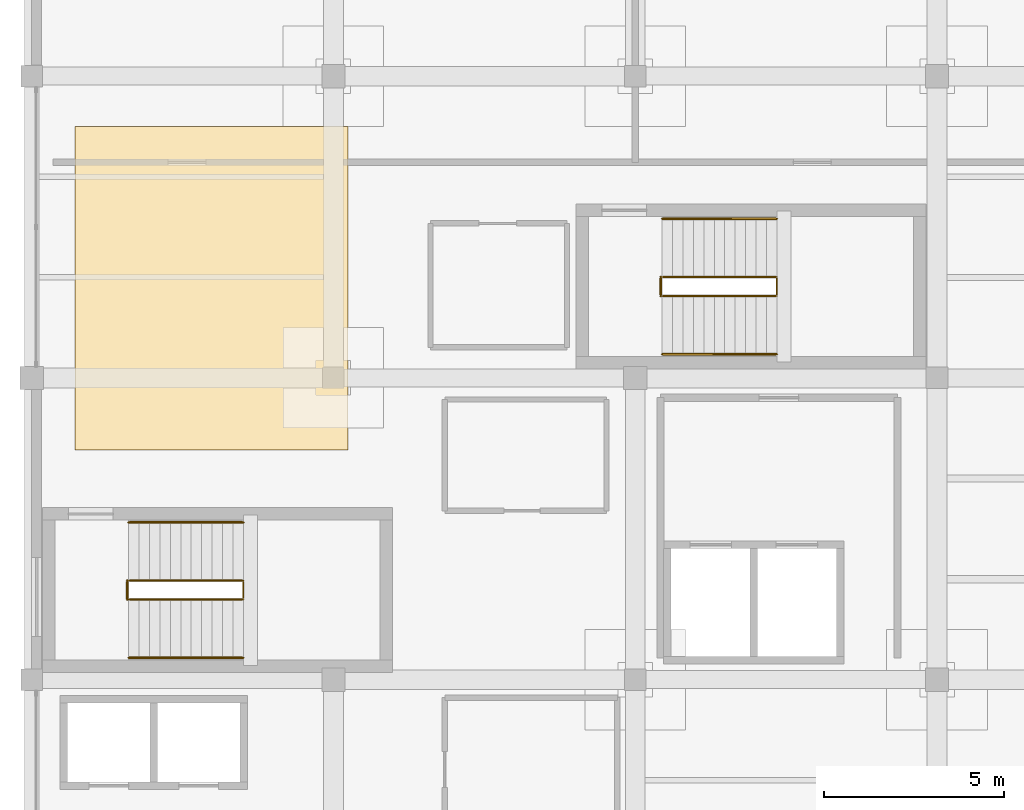
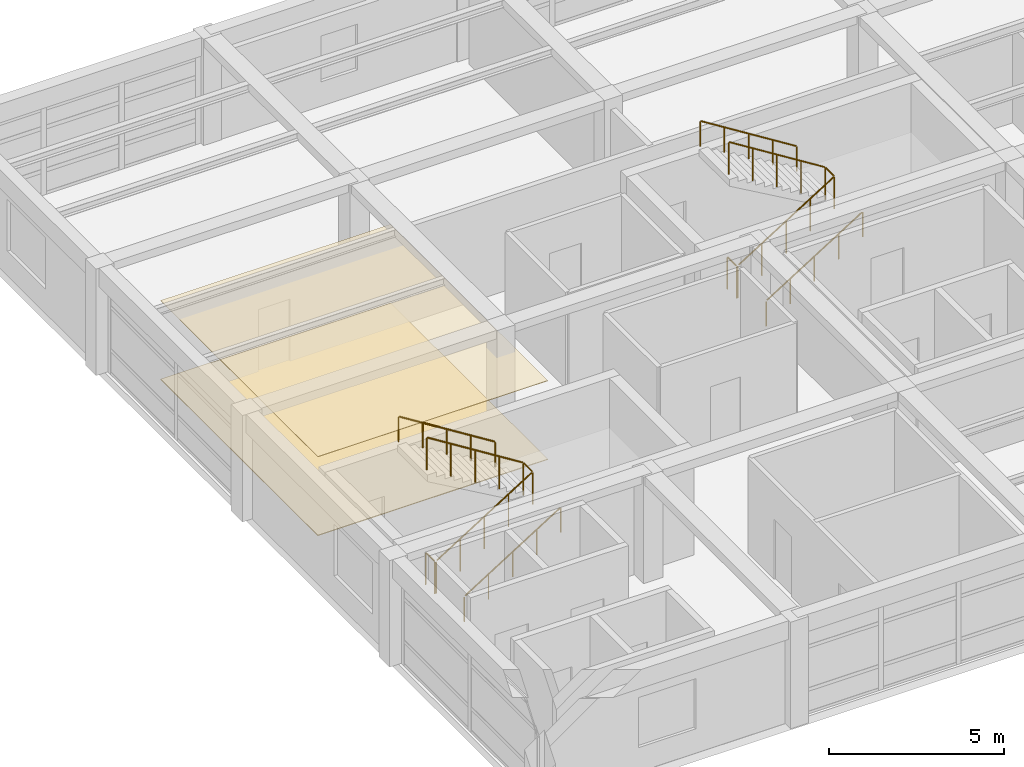
# One storey, part 26 of 26: 8 railings, 2 coverings.
"""IFC4 building model written with IfcOpenShell, lengths in metres."""

from ifc_helpers import new_model, si_unit, direction, frame, origin, origin_2d, place, context, subcontext, project, spatial, polyline, circle, outline, extrude, material, layer, layer_set, type_object, element, save


model = new_model("IFC4")

# Units and contexts
model_context = context("Model", 3, precision=1e-05, world=origin(), true_north=direction((0.0, 1.0)))
body_context = subcontext(model_context, "Body", "Model", "MODEL_VIEW")
ifc_project = project(units=[si_unit("LENGTHUNIT", "METRE"), si_unit("AREAUNIT", "SQUARE_METRE"), si_unit("VOLUMEUNIT", "CUBIC_METRE"), si_unit("PLANEANGLEUNIT", "RADIAN"), si_unit("MASSUNIT", "GRAM", prefix="KILO")], contexts=[model_context])

# Site, building, storey
site_placement = place(None, origin())
site = spatial("IfcSite", under=ifc_project, at=site_placement, CompositionType="ELEMENT")
building_placement = place(site_placement, origin())
building = spatial("IfcBuilding", under=site, at=building_placement, Name="Almacenes y Pasaje Nevantli", CompositionType="ELEMENT")
storey_placement = place(building_placement, frame((0.0, 0.0, 54.699951171875)))
storey = spatial("IfcBuildingStorey", under=building, at=storey_placement, Name="L13", CompositionType="ELEMENT", Elevation=54.699951171875)

# Coverings
ifc_material_1 = material(Name="Perforated Acoustic Mineral Fiber Ceiling", Category="gypsum")
ifc_layer_1 = layer(ifc_material_1, 0.02001953125)
ifc_layer_set_1 = layer_set([ifc_layer_1], Name="Perforated Acoustic Mineral Fiber Ceiling")
covering_type_1 = type_object("IfcCoveringType", Name="COV-CEIL-ACU", PredefinedType="CEILING", material=ifc_layer_set_1)
covering_1_placement = place(storey_placement, frame((0.0, 0.0, 2.75)))
element("IfcCovering", 1, at=covering_1_placement, inside=storey, type_object=covering_type_1, Name="L13 Suspended Acoustic Ceiling Panel", PredefinedType="CEILING", context=body_context, shape_type="SweptSolid", body=[
    extrude(outline(polyline([(118.800048828125, 82.0), (126.39990234375, 82.0), (126.39990234375, 91.0), (118.800048828125, 91.0), (118.800048828125, 82.0)])), origin(), (0.0, 0.0, 1.0), 0.02001953125),
])
ifc_material_2 = material(Name="Polished Toluca Stone Terrazzo Flooring", Category="masonry")
ifc_layer_2 = layer(ifc_material_2, 0.02490234375)
ifc_layer_set_2 = layer_set([ifc_layer_2], Name="Polished Toluca Stone Terrazzo Flooring")
covering_type_2 = type_object("IfcCoveringType", Name="COV-FLR-TERRAZZO", PredefinedType="FLOORING", material=ifc_layer_set_2)
covering_2_placement = place(storey_placement, origin())
element("IfcCovering", 2, at=covering_2_placement, inside=storey, type_object=covering_type_2, Name="L13 Polished Stone Terrazzo Floor Finish", PredefinedType="FLOORING", context=body_context, shape_type="SweptSolid", body=[
    extrude(outline(polyline([(118.800048828125, 82.0), (126.39990234375, 82.0), (126.39990234375, 91.0), (118.800048828125, 91.0), (118.800048828125, 82.0)])), origin(), (0.0, 0.0, 1.0), 0.025146484375),
])

# Railings
ifc_material_3 = material(Name="Brushed Stainless Steel and Tempered Safety Glass", Category="steel")
railing_type_1 = type_object("IfcRailingType", Name="RL-GUARD-1100", PredefinedType="BALUSTRADE", material=ifc_material_3)
railing_1_placement = place(storey_placement, frame((120.300048828125, 77.830078125, 0.0)))
element("IfcRailing", 3, at=railing_1_placement, inside=storey, type_object=railing_type_1, Name="L13 Stair ST-01 Inner Well Guard Balustrade", PredefinedType="BALUSTRADE", context=body_context, shape_type="SweptSolid", body=[
    extrude(circle(Radius=0.02392578125, at=origin_2d()), frame((0.025390625, 0.0, 1.141845703125), z_axis=(0.847247016309, 0.0, 0.531199108955), x_axis=(0.0, 1.0, 0.0)), (0.0, 0.0, 1.0), 3.705078125),
    extrude(circle(Radius=0.02392578125, at=origin_2d()), frame((3.18994140625, 0.030029296875, 3.1259765625), z_axis=(0.0, 1.0, 0.0), x_axis=(-1.0, 0.0, 0.0)), (0.0, 0.0, 1.0), 0.469970703125),
    extrude(circle(Radius=0.02392578125, at=origin_2d()), frame((3.16455078125, 0.530029296875, 3.141845703125), z_axis=(-0.847247016309, 0.0, 0.531199108955), x_axis=(0.0, -1.0, 0.0)), (0.0, 0.0, 1.0), 3.705078125),
    extrude(circle(Radius=0.02099609375, at=origin_2d()), origin(), (0.0, 0.0, 1.0), 1.096923828125),
    extrude(circle(Radius=0.02099609375, at=origin_2d()), frame((0.79736328125, 0.0, 0.5)), (0.0, 0.0, 1.0), 1.096923828125),
    extrude(circle(Radius=0.02099609375, at=origin_2d()), frame((1.594970703125, 0.0, 1.0)), (0.0, 0.0, 1.0), 1.096923828125),
    extrude(circle(Radius=0.02099609375, at=origin_2d()), frame((2.392578125, 0.0, 1.5)), (0.0, 0.0, 1.0), 1.096923828125),
    extrude(circle(Radius=0.02099609375, at=origin_2d()), frame((3.18994140625, 0.0, 2.0)), (0.0, 0.0, 1.0), 1.096923828125),
    extrude(circle(Radius=0.02099609375, at=origin_2d()), frame((3.18994140625, 0.530029296875, 2.0)), (0.0, 0.0, 1.0), 1.096923828125),
    extrude(circle(Radius=0.02099609375, at=origin_2d()), frame((2.392578125, 0.530029296875, 2.5)), (0.0, 0.0, 1.0), 1.096923828125),
    extrude(circle(Radius=0.02099609375, at=origin_2d()), frame((1.594970703125, 0.530029296875, 3.0)), (0.0, 0.0, 1.0), 1.096923828125),
    extrude(circle(Radius=0.02099609375, at=origin_2d()), frame((0.79736328125, 0.530029296875, 3.5)), (0.0, 0.0, 1.0), 1.096923828125),
    extrude(circle(Radius=0.02099609375, at=origin_2d()), frame((0.0, 0.530029296875, 4.0)), (0.0, 0.0, 1.0), 1.096923828125),
])
railing_2_placement = place(storey_placement, frame((120.260009765625, 77.830078125, 0.0)))
element("IfcRailing", 4, at=railing_2_placement, inside=storey, type_object=railing_type_1, Name="L13 Stair ST-01 Landing Well Slot Guard", PredefinedType="BALUSTRADE", context=body_context, shape_type="SweptSolid", body=[
    extrude(circle(Radius=0.02392578125, at=origin_2d()), frame((0.0, 0.030029296875, 1.1259765625), z_axis=(0.0, 1.0, 0.0), x_axis=(-1.0, 0.0, 0.0)), (0.0, 0.0, 1.0), 0.469970703125),
    extrude(circle(Radius=0.02099609375, at=origin_2d()), origin(), (0.0, 0.0, 1.0), 1.096923828125),
    extrude(circle(Radius=0.02099609375, at=origin_2d()), frame((0.0, 0.530029296875, 0.0)), (0.0, 0.0, 1.0), 1.096923828125),
])
railing_3_placement = place(storey_placement, frame((135.14990234375, 86.280029296875, 0.0)))
element("IfcRailing", 5, at=railing_3_placement, inside=storey, type_object=railing_type_1, Name="L13 Stair ST-02 Inner Well Guard Balustrade", PredefinedType="BALUSTRADE", context=body_context, shape_type="SweptSolid", body=[
    extrude(circle(Radius=0.02392578125, at=origin_2d()), frame((0.025390625, 0.0, 1.141845703125), z_axis=(0.847265311894, 0.0, 0.531169926918), x_axis=(0.0, 1.0, 0.0)), (0.0, 0.0, 1.0), 3.705322265625),
    extrude(circle(Radius=0.02392578125, at=origin_2d()), frame((3.190185546875, 0.030029296875, 3.1259765625), z_axis=(0.0, 1.0, 0.0), x_axis=(-1.0, 0.0, 0.0)), (0.0, 0.0, 1.0), 0.469970703125),
    extrude(circle(Radius=0.02392578125, at=origin_2d()), frame((3.164794921875, 0.530029296875, 3.141845703125), z_axis=(-0.847265311894, 0.0, 0.531169926918), x_axis=(0.0, -1.0, 0.0)), (0.0, 0.0, 1.0), 3.705322265625),
    extrude(circle(Radius=0.02099609375, at=origin_2d()), origin(), (0.0, 0.0, 1.0), 1.096923828125),
    extrude(circle(Radius=0.02099609375, at=origin_2d()), frame((0.797607421875, 0.0, 0.5)), (0.0, 0.0, 1.0), 1.096923828125),
    extrude(circle(Radius=0.02099609375, at=origin_2d()), frame((1.59521484375, 0.0, 1.0)), (0.0, 0.0, 1.0), 1.096923828125),
    extrude(circle(Radius=0.02099609375, at=origin_2d()), frame((2.392578125, 0.0, 1.5)), (0.0, 0.0, 1.0), 1.096923828125),
    extrude(circle(Radius=0.02099609375, at=origin_2d()), frame((3.190185546875, 0.0, 2.0)), (0.0, 0.0, 1.0), 1.096923828125),
    extrude(circle(Radius=0.02099609375, at=origin_2d()), frame((3.190185546875, 0.530029296875, 2.0)), (0.0, 0.0, 1.0), 1.096923828125),
    extrude(circle(Radius=0.02099609375, at=origin_2d()), frame((2.392578125, 0.530029296875, 2.5)), (0.0, 0.0, 1.0), 1.096923828125),
    extrude(circle(Radius=0.02099609375, at=origin_2d()), frame((1.59521484375, 0.530029296875, 3.0)), (0.0, 0.0, 1.0), 1.096923828125),
    extrude(circle(Radius=0.02099609375, at=origin_2d()), frame((0.797607421875, 0.530029296875, 3.5)), (0.0, 0.0, 1.0), 1.096923828125),
    extrude(circle(Radius=0.02099609375, at=origin_2d()), frame((0.0, 0.530029296875, 4.0)), (0.0, 0.0, 1.0), 1.096923828125),
])
railing_4_placement = place(storey_placement, frame((135.110107421875, 86.280029296875, 0.0)))
element("IfcRailing", 6, at=railing_4_placement, inside=storey, type_object=railing_type_1, Name="L13 Stair ST-02 Landing Well Slot Guard", PredefinedType="BALUSTRADE", context=body_context, shape_type="SweptSolid", body=[
    extrude(circle(Radius=0.02392578125, at=origin_2d()), frame((0.0, 0.030029296875, 1.1259765625), z_axis=(0.0, 1.0, 0.0), x_axis=(-1.0, 0.0, 0.0)), (0.0, 0.0, 1.0), 0.469970703125),
    extrude(circle(Radius=0.02099609375, at=origin_2d()), origin(), (0.0, 0.0, 1.0), 1.096923828125),
    extrude(circle(Radius=0.02099609375, at=origin_2d()), frame((0.0, 0.530029296875, 0.0)), (0.0, 0.0, 1.0), 1.096923828125),
])
ifc_material_4 = material(Name="Brushed Stainless Steel Tube", Category="steel")
railing_type_2 = type_object("IfcRailingType", Name="RL-HANDRAIL-900", PredefinedType="HANDRAIL", material=ifc_material_4)
railing_5_placement = place(storey_placement, frame((120.300048828125, 76.2099609375, 0.0)))
element("IfcRailing", 7, at=railing_5_placement, inside=storey, type_object=railing_type_2, Name="L13 Stair ST-01 Lower Flight Handrail", PredefinedType="HANDRAIL", context=body_context, shape_type="SweptSolid", body=[
    extrude(circle(Radius=0.02392578125, at=origin_2d()), frame((0.025390625, 0.0, 0.891845703125), z_axis=(0.847247016309, 0.0, 0.531199108955), x_axis=(0.0, 1.0, 0.0)), (0.0, 0.0, 1.0), 3.705078125),
    extrude(circle(Radius=0.02099609375, at=origin_2d()), origin(), (0.0, 0.0, 1.0), 0.846923828125),
    extrude(circle(Radius=0.02099609375, at=origin_2d()), frame((0.79736328125, 0.0, 0.5)), (0.0, 0.0, 1.0), 0.846923828125),
    extrude(circle(Radius=0.02099609375, at=origin_2d()), frame((1.594970703125, 0.0, 1.0)), (0.0, 0.0, 1.0), 0.846923828125),
    extrude(circle(Radius=0.02099609375, at=origin_2d()), frame((2.392578125, 0.0, 1.5)), (0.0, 0.0, 1.0), 0.846923828125),
    extrude(circle(Radius=0.02099609375, at=origin_2d()), frame((3.18994140625, 0.0, 2.0)), (0.0, 0.0, 1.0), 0.846923828125),
])
railing_6_placement = place(storey_placement, frame((123.489990234375, 79.97998046875, 2.0)))
element("IfcRailing", 8, at=railing_6_placement, inside=storey, type_object=railing_type_2, Name="L13 Stair ST-01 Upper Flight Handrail", PredefinedType="HANDRAIL", context=body_context, shape_type="SweptSolid", body=[
    extrude(circle(Radius=0.02392578125, at=origin_2d()), frame((-0.025390625, 0.0, 0.891845703125), z_axis=(-0.847247016309, 0.0, 0.531199108955), x_axis=(0.0, -1.0, 0.0)), (0.0, 0.0, 1.0), 3.705078125),
    extrude(circle(Radius=0.02099609375, at=origin_2d()), origin(), (0.0, 0.0, 1.0), 0.846923828125),
    extrude(circle(Radius=0.02099609375, at=origin_2d()), frame((-0.79736328125, 0.0, 0.5)), (0.0, 0.0, 1.0), 0.846923828125),
    extrude(circle(Radius=0.02099609375, at=origin_2d()), frame((-1.594970703125, 0.0, 1.0)), (0.0, 0.0, 1.0), 0.846923828125),
    extrude(circle(Radius=0.02099609375, at=origin_2d()), frame((-2.392578125, 0.0, 1.5)), (0.0, 0.0, 1.0), 0.846923828125),
    extrude(circle(Radius=0.02099609375, at=origin_2d()), frame((-3.18994140625, 0.0, 2.0)), (0.0, 0.0, 1.0), 0.846923828125),
])
railing_7_placement = place(storey_placement, frame((135.14990234375, 84.659912109375, 0.0)))
element("IfcRailing", 9, at=railing_7_placement, inside=storey, type_object=railing_type_2, Name="L13 Stair ST-02 Lower Flight Handrail", PredefinedType="HANDRAIL", context=body_context, shape_type="SweptSolid", body=[
    extrude(circle(Radius=0.02392578125, at=origin_2d()), frame((0.025390625, 0.0, 0.891845703125), z_axis=(0.847265311894, 0.0, 0.531169926918), x_axis=(0.0, 1.0, 0.0)), (0.0, 0.0, 1.0), 3.705322265625),
    extrude(circle(Radius=0.02099609375, at=origin_2d()), origin(), (0.0, 0.0, 1.0), 0.846923828125),
    extrude(circle(Radius=0.02099609375, at=origin_2d()), frame((0.797607421875, 0.0, 0.5)), (0.0, 0.0, 1.0), 0.846923828125),
    extrude(circle(Radius=0.02099609375, at=origin_2d()), frame((1.59521484375, 0.0, 1.0)), (0.0, 0.0, 1.0), 0.846923828125),
    extrude(circle(Radius=0.02099609375, at=origin_2d()), frame((2.392578125, 0.0, 1.5)), (0.0, 0.0, 1.0), 0.846923828125),
    extrude(circle(Radius=0.02099609375, at=origin_2d()), frame((3.190185546875, 0.0, 2.0)), (0.0, 0.0, 1.0), 0.846923828125),
])
railing_8_placement = place(storey_placement, frame((138.340087890625, 88.429931640625, 2.0)))
element("IfcRailing", 10, at=railing_8_placement, inside=storey, type_object=railing_type_2, Name="L13 Stair ST-02 Upper Flight Handrail", PredefinedType="HANDRAIL", context=body_context, shape_type="SweptSolid", body=[
    extrude(circle(Radius=0.02392578125, at=origin_2d()), frame((-0.025390625, 0.0, 0.891845703125), z_axis=(-0.847265311894, 0.0, 0.531169926918), x_axis=(0.0, -1.0, 0.0)), (0.0, 0.0, 1.0), 3.705322265625),
    extrude(circle(Radius=0.02099609375, at=origin_2d()), origin(), (0.0, 0.0, 1.0), 0.846923828125),
    extrude(circle(Radius=0.02099609375, at=origin_2d()), frame((-0.797607421875, 0.0, 0.5)), (0.0, 0.0, 1.0), 0.846923828125),
    extrude(circle(Radius=0.02099609375, at=origin_2d()), frame((-1.59521484375, 0.0, 1.0)), (0.0, 0.0, 1.0), 0.846923828125),
    extrude(circle(Radius=0.02099609375, at=origin_2d()), frame((-2.392578125, 0.0, 1.5)), (0.0, 0.0, 1.0), 0.846923828125),
    extrude(circle(Radius=0.02099609375, at=origin_2d()), frame((-3.190185546875, 0.0, 2.0)), (0.0, 0.0, 1.0), 0.846923828125),
])

save(model, "model.ifc")
